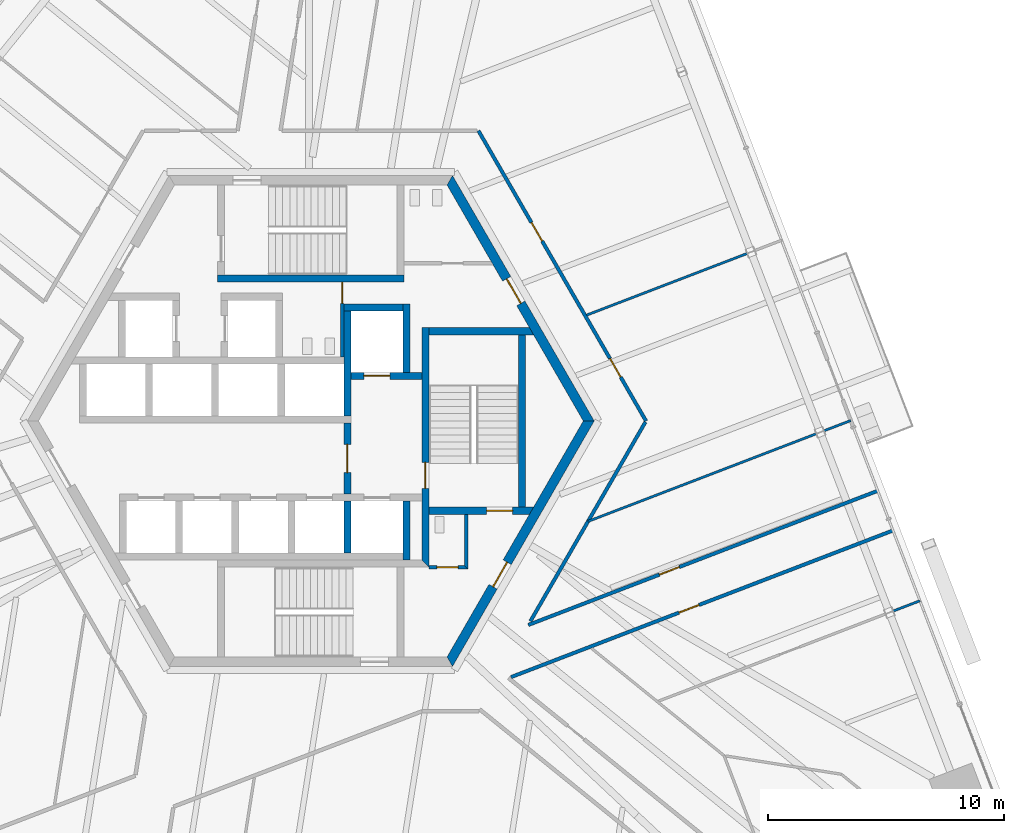
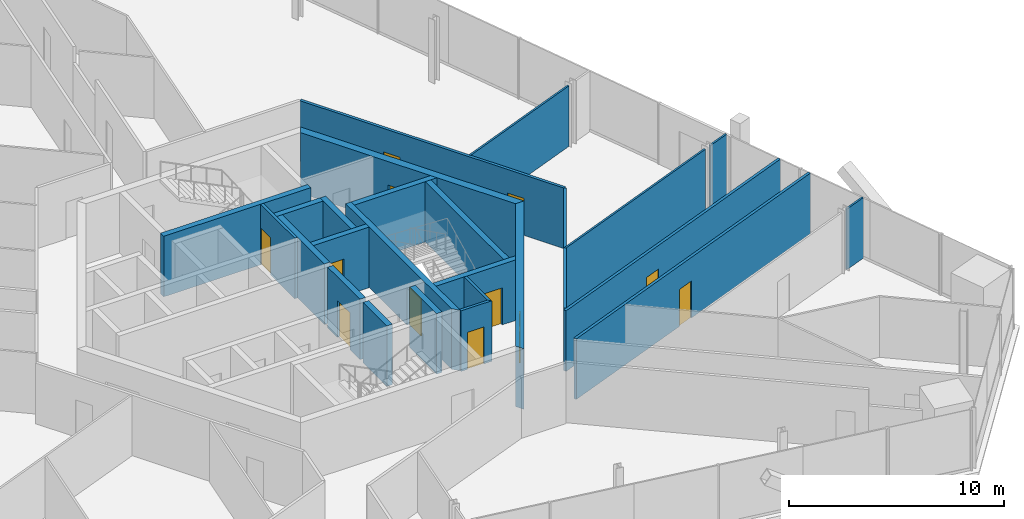
# One storey, part 13 of 19: 25 walls, 12 doors, 12 openings.
"""IFC4 building model written with IfcOpenShell, lengths in metres."""

import ifcopenshell
import ifcopenshell.guid

model = None  # the IFC model being written
_history = None  # IfcOwnerHistory: only IFC2X3 demands one
_inside = {}  # id of a spatial element -> (the spatial element, [elements in it])
_under = {}  # id of a project, library or spatial element -> (it, [spatial elements below it])
_declared = {}  # id of a project -> (the project, [libraries it declares])
_typed = {}  # id of a type object -> (the type object, [elements of that type])
_made_of = {}  # id of a material, layer set ... -> (it, [elements and type objects made of it])


def new_model(schema):
    """Start an empty IFC model of exactly this schema.

    Asked for "IFC4X3", IfcOpenShell would pick the latest addendum, in which some entities
    have other attributes; the version numbers below select the first issue.
    IFC2X3 requires an IfcOwnerHistory on every rooted entity: one is made here for all.
    """
    global model, _history
    if schema == "IFC4X3":
        model = ifcopenshell.file(schema_version=(4, 3, 0, 0))
    else:
        model = ifcopenshell.file(schema=schema)
    _inside.clear()
    _under.clear()
    _declared.clear()
    _typed.clear()
    _made_of.clear()
    _history = None
    if model.schema == "IFC2X3":
        org = make("IfcOrganization", Name="unknown")
        user = make(
            "IfcPersonAndOrganization",
            ThePerson=make("IfcPerson", FamilyName="unknown"),
            TheOrganization=org,
        )
        app = make(
            "IfcApplication",
            ApplicationDeveloper=org,
            Version="unknown",
            ApplicationFullName="unknown",
            ApplicationIdentifier="unknown",
        )
        _history = make(
            "IfcOwnerHistory",
            OwningUser=user,
            OwningApplication=app,
            ChangeAction="ADDED",
            CreationDate=0,
        )
    return model


def make(cls, **values):
    """One entity of the class cls with the attributes given. An attribute that is None is left unset."""
    return model.create_entity(
        cls, **{name: value for name, value in values.items() if value is not None}
    )


def rooted(cls, **values):
    """An entity with a GlobalId (a new one), such as an element, a storey or a relation."""
    return make(cls, GlobalId=ifcopenshell.guid.new(), OwnerHistory=_history, **values)


def si_unit(unit_type, name, prefix=None):
    """IfcSIUnit, for example si_unit("LENGTHUNIT", "METRE", prefix="MILLI")."""
    return make("IfcSIUnit", UnitType=unit_type, Prefix=prefix, Name=name)


def assignment(units):
    """IfcUnitAssignment: the units of a project."""
    return None if units is None else make("IfcUnitAssignment", Units=units)


def point(xyz):
    """IfcCartesianPoint."""
    return None if xyz is None else make("IfcCartesianPoint", Coordinates=xyz)


def direction(xyz):
    """IfcDirection."""
    return None if xyz is None else make("IfcDirection", DirectionRatios=xyz)


def frame(location, z_axis=None, x_axis=None):
    """IfcAxis2Placement3D, a coordinate frame: its origin and axes. An axis left out is left unset."""
    return make(
        "IfcAxis2Placement3D",
        Location=point(location),
        Axis=direction(z_axis),
        RefDirection=direction(x_axis),
    )


def frame_2d(location, x_axis=None):
    """IfcAxis2Placement2D, a coordinate frame in the plane: its origin and x axis."""
    return make(
        "IfcAxis2Placement2D", Location=point(location), RefDirection=direction(x_axis)
    )


def origin():
    """The frame at (0, 0, 0) with its axes left unset."""
    return frame((0.0, 0.0, 0.0))


def place(relative_to, where):
    """IfcLocalPlacement: puts the frame where relative to a parent placement (None: the world)."""
    return make(
        "IfcLocalPlacement", PlacementRelTo=relative_to, RelativePlacement=where
    )


def context(
    kind, dimensions, precision=None, world=None, true_north=None, identifier=None
):
    """IfcGeometricRepresentationContext, for example the 3D "Model" context."""
    return make(
        "IfcGeometricRepresentationContext",
        ContextIdentifier=identifier,
        ContextType=kind,
        CoordinateSpaceDimension=dimensions,
        Precision=precision,
        WorldCoordinateSystem=world,
        TrueNorth=true_north,
    )


def subcontext(parent, identifier, kind, view, scale=None):
    """IfcGeometricRepresentationSubContext, for example "Body" below "Model"."""
    return make(
        "IfcGeometricRepresentationSubContext",
        ContextIdentifier=identifier,
        ContextType=kind,
        ParentContext=parent,
        TargetScale=scale,
        TargetView=view,
    )


def project(units=None, contexts=None):
    """IfcProject with its units and contexts."""
    return rooted(
        "IfcProject",
        Name="project",
        RepresentationContexts=contexts,
        UnitsInContext=assignment(units),
    )


def spatial(cls, under=None, at=None, **own):
    """A site, building, storey or space (cls), placed at a placement, below another one or the project."""
    s = rooted(cls, ObjectPlacement=at, **own)
    if under is not None:
        _under.setdefault(under.id(), (under, []))[1].append(s)
    return s


def polyline(points):
    """IfcPolyline through the points."""
    return make("IfcPolyline", Points=[point(p) for p in points])


def profile(cls, at=None, kind="AREA", **sizes):
    """A parametric profile (cls). Its sizes go by their IFC names, for example OverallWidth=200.0."""
    return make(cls, ProfileType=kind, Position=at, **sizes)


def rectangle(**sizes):
    """IfcRectangleProfileDef."""
    return profile("IfcRectangleProfileDef", **sizes)


def outline(outer, holes=None, kind="AREA"):
    """IfcArbitraryClosedProfileDef: a profile drawn as a closed curve; with holes, ...WithVoids."""
    if holes is None:
        return make("IfcArbitraryClosedProfileDef", ProfileType=kind, OuterCurve=outer)
    return make(
        "IfcArbitraryProfileDefWithVoids",
        ProfileType=kind,
        OuterCurve=outer,
        InnerCurves=holes,
    )


def extrude(swept, where, along, depth):
    """IfcExtrudedAreaSolid: the profile swept, set in the frame where, extruded along a direction by depth."""
    return make(
        "IfcExtrudedAreaSolid",
        SweptArea=swept,
        Position=where,
        ExtrudedDirection=direction(along),
        Depth=depth,
    )


def shape(context_of_items, identifier, shape_type, items):
    """IfcShapeRepresentation: the items that make up one representation, for example the "Body"."""
    return make(
        "IfcShapeRepresentation",
        ContextOfItems=context_of_items,
        RepresentationIdentifier=identifier,
        RepresentationType=shape_type,
        Items=items,
    )


def source(mapping_origin, context_of_items, identifier, shape_type, items):
    """IfcRepresentationMap: a shape defined once, which mapped items show again and again."""
    return make(
        "IfcRepresentationMap",
        MappingOrigin=mapping_origin,
        MappedRepresentation=shape(context_of_items, identifier, shape_type, items),
    )


def transform(
    local_origin,
    x_axis=None,
    y_axis=None,
    z_axis=None,
    scale=None,
    scale2=None,
    scale3=None,
    uniform=True,
):
    """IfcCartesianTransformationOperator3D, or its non-uniform kind. x_axis, y_axis, z_axis: its Axis1, 2, 3."""
    if uniform:
        return make(
            "IfcCartesianTransformationOperator3D",
            Axis1=direction(x_axis),
            Axis2=direction(y_axis),
            LocalOrigin=point(local_origin),
            Scale=scale,
            Axis3=direction(z_axis),
        )
    return make(
        "IfcCartesianTransformationOperator3DnonUniform",
        Axis1=direction(x_axis),
        Axis2=direction(y_axis),
        LocalOrigin=point(local_origin),
        Scale=scale,
        Axis3=direction(z_axis),
        Scale2=scale2,
        Scale3=scale3,
    )


def mapped(mapping_source, mapping_target):
    """IfcMappedItem: shows the shape of a source again, moved by a transform."""
    return make(
        "IfcMappedItem", MappingSource=mapping_source, MappingTarget=mapping_target
    )


def material(Name=None, Category=None):
    """IfcMaterial."""
    return make("IfcMaterial", Name=Name, Category=Category)


def layer(
    of_material, thickness, ventilated=None, Name=None, Category=None, Priority=None
):
    """IfcMaterialLayer: one layer of a wall or slab, of a material (None: an air gap)."""
    return make(
        "IfcMaterialLayer",
        Material=of_material,
        LayerThickness=thickness,
        IsVentilated=ventilated,
        Name=Name,
        Category=Category,
        Priority=Priority,
    )


def layer_set(layers, Name=None):
    """IfcMaterialLayerSet."""
    return make("IfcMaterialLayerSet", MaterialLayers=layers, LayerSetName=Name)


def made_of(thing, what):
    """Note that an element or type object is made of a material, layer set ...; save() writes the relation."""
    if what is not None:
        _made_of.setdefault(what.id(), (what, []))[1].append(thing)
    return thing


def type_object(cls, material=None, **own):
    """A type object (cls), such as IfcWallType, which elements share."""
    return made_of(rooted(cls, **own), material)


def element(
    cls,
    number,
    at=None,
    inside=None,
    cuts=None,
    type_object=None,
    material=None,
    context=None,
    identifier="Body",
    shape_type=None,
    held_by="IfcProductDefinitionShape",
    body=None,
    shapes=None,
    **own,
):
    """One element of the class cls, such as IfcWall. Its Tag is "e" and its number.

    at: its placement. inside: the storey or other place that contains it. cuts: it is an
    opening in that element (IfcRelVoidsElement). A single representation is given by context,
    identifier, shape_type and body (its items); several are given by shapes. held_by: the class
    of the entity that holds the representations. save() writes the other relations.
    """
    e = rooted(cls, Tag="e%d" % number, ObjectPlacement=at, **own)
    if body is not None:
        shapes = [shape(context, identifier, shape_type, body)]
    if shapes is not None:
        e.Representation = make(held_by, Representations=shapes)
    if inside is not None:
        _inside.setdefault(inside.id(), (inside, []))[1].append(e)
    if cuts is not None:
        rooted(
            "IfcRelVoidsElement", RelatingBuildingElement=cuts, RelatedOpeningElement=e
        )
    if type_object is not None:
        _typed.setdefault(type_object.id(), (type_object, []))[1].append(e)
    return made_of(e, material)


def fill(opening, filler):
    """IfcRelFillsElement: the door or window that sits in an opening."""
    return rooted(
        "IfcRelFillsElement",
        RelatingOpeningElement=opening,
        RelatedBuildingElement=filler,
    )


def aggregate(whole, parts):
    """IfcRelAggregates: a whole, such as a stair, and the parts it consists of."""
    return rooted("IfcRelAggregates", RelatingObject=whole, RelatedObjects=parts)


def save(model, path):
    """Write the relations noted so far, then the file.

    IfcRelAggregates (storeys below a building ...), IfcRelContainedInSpatialStructure (elements
    in a storey), IfcRelDefinesByType, IfcRelAssociatesMaterial and IfcRelDeclares: one each for
    every whole, place, type object, material and project.
    """
    for whole, parts in _under.values():
        aggregate(whole, parts)
    for where, things in _inside.values():
        rooted(
            "IfcRelContainedInSpatialStructure",
            RelatedElements=things,
            RelatingStructure=where,
        )
    for kind, things in _typed.values():
        rooted("IfcRelDefinesByType", RelatedObjects=things, RelatingType=kind)
    for what, things in _made_of.values():
        rooted("IfcRelAssociatesMaterial", RelatedObjects=things, RelatingMaterial=what)
    for by, libraries in _declared.values():
        rooted("IfcRelDeclares", RelatingContext=by, RelatedDefinitions=libraries)
    model.write(path)


model = new_model("IFC4")

# Units and contexts
model_context = context("Model", 3, precision=1e-05, world=origin(), true_north=direction((0.0, 1.0)))
body_context = subcontext(model_context, "Body", "Model", "MODEL_VIEW")
ifc_project = project(units=[si_unit("LENGTHUNIT", "METRE"), si_unit("AREAUNIT", "SQUARE_METRE"), si_unit("VOLUMEUNIT", "CUBIC_METRE"), si_unit("PLANEANGLEUNIT", "RADIAN"), si_unit("MASSUNIT", "GRAM", prefix="KILO")], contexts=[model_context])

# Site, building, storey
site_placement = place(None, origin())
site = spatial("IfcSite", under=ifc_project, at=site_placement, CompositionType="ELEMENT")
building_placement = place(site_placement, origin())
building = spatial("IfcBuilding", under=site, at=building_placement, Name="Triune Harvest Tower", CompositionType="ELEMENT")
storey_placement = place(building_placement, frame((0.0, 0.0, 142.5)))
storey = spatial("IfcBuildingStorey", under=building, at=storey_placement, Name="L36", CompositionType="ELEMENT", Elevation=142.5)

# Wall, opening, door
ifc_material_1 = material(Name="Concrete 70 MPa", Category="concrete")
ifc_layer_1 = layer(ifc_material_1, 0.39990234375)
ifc_layer_set_1 = layer_set([ifc_layer_1], Name="Concrete 70 MPa")
wall_type_1 = type_object("IfcWallType", Name="Core wall 400", PredefinedType="SHEAR", material=ifc_layer_set_1)
shared_shape_1 = source(origin(), body_context, "Body", "SweptSolid", [
    extrude(outline(polyline([(-0.115478515625, -0.199951171875), (11.884521484375, -0.199951171875), (11.653564453125, 0.199951171875), (0.115478515625, 0.199951171875), (-0.115478515625, -0.199951171875)])), origin(), (0.0, 0.0, 1.0), 3.43994140625),
])
wall_1_placement = place(storey_placement, frame((11.76904296875, 0.0, 0.0), z_axis=(0.0, 0.0, 1.0), x_axis=(-0.499996592174, 0.866027371285, 0.0)))
wall_1 = element("IfcWall", 1, at=wall_1_placement, inside=storey, type_object=wall_type_1, Name="Hexagon 0 wall", PredefinedType="SHEAR", context=body_context, shape_type="MappedRepresentation", body=[
    mapped(shared_shape_1, transform((0.0, 0.0, 0.0), scale=1.0)),
])
opening_1_placement = place(wall_1_placement, frame((5.75048828125, 0.0, 0.0)))
opening_1 = element("IfcOpeningElement", 2, at=opening_1_placement, cuts=wall_1, Name="Opening CD-WCP", PredefinedType="OPENING", context=body_context, shape_type="SweptSolid", body=[
    extrude(rectangle(XDim=1.199951171875, YDim=2.10009765625, at=frame_2d((0.60009765625, 1.050048828125))), frame((0.0, 0.2099609375, 0.0), z_axis=(0.0, -1.0, 0.0), x_axis=(1.0, 0.0, 0.0)), (0.0, 0.0, 1.0), 0.419921875),
])
ifc_material_2 = material(Name="Steel S235", Category="steel")
door_type_1 = type_object("IfcDoorType", Name="Lobby door 1200 FD120", OperationType="SINGLE_SWING_LEFT", PredefinedType="DOOR", material=ifc_material_2)
door_1_placement = place(opening_1_placement, frame((1.199951171875, 0.0, 0.0), z_axis=(0.0, 0.0, 1.0), x_axis=(-1.0, 0.0, 0.0)))
door_1 = element("IfcDoor", 3, at=door_1_placement, inside=storey, type_object=door_type_1, Name="Door CD-WCP", OperationType="SINGLE_SWING_RIGHT", OverallHeight=2.10009765625, OverallWidth=1.199951171875, PredefinedType="DOOR", context=body_context, shape_type="SweptSolid", body=[
    extrude(rectangle(XDim=1.199951171875, YDim=2.10009765625, at=frame_2d((0.60009765625, 1.050048828125))), frame((0.0, 0.02490234375, 0.0), z_axis=(0.0, -1.0, 0.0), x_axis=(1.0, 0.0, 0.0)), (0.0, 0.0, 1.0), 0.050048828125),
])
fill(opening_1, door_1)

wall_2_placement = place(storey_placement, frame((5.884521484375, -10.1923828125, 0.0), z_axis=(0.0, 0.0, 1.0), x_axis=(0.499996592174, 0.866027371285, 0.0)))
wall_2 = element("IfcWall", 4, at=wall_2_placement, inside=storey, type_object=wall_type_1, Name="Hexagon 5 wall", PredefinedType="SHEAR", context=body_context, shape_type="MappedRepresentation", body=[
    mapped(shared_shape_1, transform((0.0, 0.0, 0.0), scale=1.0)),
])
opening_2_placement = place(wall_2_placement, frame((3.66455078125, 0.0, 0.0)))
opening_2 = element("IfcOpeningElement", 5, at=opening_2_placement, cuts=wall_2, Name="Opening CD-DP", PredefinedType="OPENING", context=body_context, shape_type="SweptSolid", body=[
    extrude(rectangle(XDim=1.199951171875, YDim=2.10009765625, at=frame_2d((0.60009765625, 1.050048828125))), frame((0.0, 0.2099609375, 0.0), z_axis=(0.0, -1.0, 0.0), x_axis=(1.0, 0.0, 0.0)), (0.0, 0.0, 1.0), 0.419921875),
])
ifc_material_3 = material(Name="Steel S235", Category="steel")
door_type_2 = type_object("IfcDoorType", Name="Stair door 1200 FD120", OperationType="SINGLE_SWING_LEFT", PredefinedType="DOOR", material=ifc_material_3)
door_2_placement = place(opening_2_placement, frame((1.199951171875, 0.0, 0.0), z_axis=(0.0, 0.0, 1.0), x_axis=(-1.0, 0.0, 0.0)))
door_2 = element("IfcDoor", 6, at=door_2_placement, inside=storey, type_object=door_type_2, Name="Door CD-DP", OperationType="SINGLE_SWING_RIGHT", OverallHeight=2.10009765625, OverallWidth=1.199951171875, PredefinedType="DOOR", context=body_context, shape_type="SweptSolid", body=[
    extrude(rectangle(XDim=1.199951171875, YDim=2.10009765625, at=frame_2d((0.60009765625, 1.050048828125))), frame((0.0, 0.02490234375, 0.0), z_axis=(0.0, -1.0, 0.0), x_axis=(1.0, 0.0, 0.0)), (0.0, 0.0, 1.0), 0.050048828125),
])
fill(opening_2, door_2)

# Walls
ifc_material_4 = material(Name="Concrete 70 MPa", Category="concrete")
ifc_layer_2 = layer(ifc_material_4, 0.300048828125)
ifc_layer_set_2 = layer_set([ifc_layer_2], Name="Concrete 70 MPa")
wall_type_2 = type_object("IfcWallType", Name="Core wall 300", PredefinedType="SHEAR", material=ifc_layer_set_2)
shared_shape_2 = source(origin(), body_context, "Body", "SweptSolid", [
    extrude(rectangle(XDim=2.5, YDim=0.300048828125, at=frame_2d((1.25, 0.0))), origin(), (0.0, 0.0, 1.0), 3.43994140625),
])
for number, where, z_axis, x_axis, name in (
    (7, (1.39990234375, 4.81005859375, 0.0), (0.0, 0.0, 1.0), (1.0, 0.0, 0.0), "Ff1 back wall"),
    (8, (4.050048828125, -5.889892578125, 0.0), (0.0, 0.0, 1.0), (0.0, 1.0, 0.0), "Ff2 east wall"),
):
    element("IfcWall", number, at=place(storey_placement, frame(where, z_axis=z_axis, x_axis=x_axis)), inside=storey, type_object=wall_type_2, Name=name, PredefinedType="SHEAR", context=body_context, shape_type="MappedRepresentation", body=[
        mapped(shared_shape_2, transform((0.0, 0.0, 0.0), scale=1.0)),
    ])
shared_shape_3 = source(origin(), body_context, "Body", "SweptSolid", [
    extrude(rectangle(XDim=4.449951171875, YDim=0.300048828125, at=frame_2d((2.22509765625, 0.0))), origin(), (0.0, 0.0, 1.0), 3.43994140625),
])
wall_3_placement = place(storey_placement, frame((1.550048828125, 0.2099609375, 0.0), z_axis=(0.0, 0.0, 1.0), x_axis=(0.0, 1.0, 0.0)))
element("IfcWall", 9, at=wall_3_placement, inside=storey, type_object=wall_type_2, Name="Ff1 west wall", PredefinedType="SHEAR", context=body_context, shape_type="MappedRepresentation", body=[
    mapped(shared_shape_3, transform((0.0, 0.0, 0.0), scale=1.0)),
])

# Wall, opening, door
shared_shape_4 = source(origin(), body_context, "Body", "SweptSolid", [
    extrude(rectangle(XDim=3.0, YDim=0.300048828125, at=frame_2d((1.5, 0.0))), origin(), (0.0, 0.0, 1.0), 3.43994140625),
])
wall_4_placement = place(storey_placement, frame((1.699951171875, 1.909912109375, 0.0), z_axis=(0.0, 0.0, 1.0), x_axis=(1.0, 0.0, 0.0)))
wall_4 = element("IfcWall", 10, at=wall_4_placement, inside=storey, type_object=wall_type_2, Name="Ff1 front wall", PredefinedType="SHEAR", context=body_context, shape_type="MappedRepresentation", body=[
    mapped(shared_shape_4, transform((0.0, 0.0, 0.0), scale=1.0)),
])
opening_3_placement = place(wall_4_placement, frame((0.550048828125, 0.0, 0.0)))
opening_3 = element("IfcOpeningElement", 11, at=opening_3_placement, cuts=wall_4, Name="Opening LD-FF1-36", PredefinedType="OPENING", context=body_context, shape_type="SweptSolid", body=[
    extrude(rectangle(XDim=1.10009765625, YDim=2.10009765625, at=frame_2d((0.550048828125, 1.050048828125))), frame((0.0, 0.16015625, 0.0), z_axis=(0.0, -1.0, 0.0), x_axis=(1.0, 0.0, 0.0)), (0.0, 0.0, 1.0), 0.320068359375),
])
ifc_material_5 = material(Name="Stainless steel AISI 304", Category="steel")
door_type_3 = type_object("IfcDoorType", Name="Landing door 1100 x 2100", OperationType="DOUBLE_DOOR_SLIDING", PredefinedType="DOOR", material=ifc_material_5)
door_3_placement = place(opening_3_placement, origin())
door_3 = element("IfcDoor", 12, at=door_3_placement, inside=storey, type_object=door_type_3, Name="Door LD-FF1-36", OperationType="DOUBLE_DOOR_SLIDING", OverallHeight=2.10009765625, OverallWidth=1.10009765625, PredefinedType="DOOR", context=body_context, shape_type="SweptSolid", body=[
    extrude(rectangle(XDim=1.10009765625, YDim=2.10009765625, at=frame_2d((0.550048828125, 1.050048828125))), frame((0.0, 0.02490234375, 0.0), z_axis=(0.0, -1.0, 0.0), x_axis=(1.0, 0.0, 0.0)), (0.0, 0.0, 1.0), 0.050048828125),
])
fill(opening_3, door_3)

wall_5_placement = place(storey_placement, frame((1.550048828125, -3.090087890625, 0.0), z_axis=(0.0, 0.0, 1.0), x_axis=(0.0, 1.0, 0.0)))
wall_5 = element("IfcWall", 13, at=wall_5_placement, inside=storey, type_object=wall_type_2, Name="Ff lobby west wall", PredefinedType="SHEAR", context=body_context, shape_type="MappedRepresentation", body=[
    mapped(shared_shape_4, transform((0.0, 0.0, 0.0), scale=1.0)),
])
opening_4_placement = place(wall_5_placement, frame((0.89990234375, 0.0, 0.0)))
opening_4 = element("IfcOpeningElement", 14, at=opening_4_placement, cuts=wall_5, Name="Opening CD-FL", PredefinedType="OPENING", context=body_context, shape_type="SweptSolid", body=[
    extrude(rectangle(XDim=1.199951171875, YDim=2.10009765625, at=frame_2d((0.60009765625, 1.050048828125))), frame((0.0, 0.16015625, 0.0), z_axis=(0.0, -1.0, 0.0), x_axis=(1.0, 0.0, 0.0)), (0.0, 0.0, 1.0), 0.320068359375),
])
ifc_material_6 = material(Name="Steel S235", Category="steel")
door_type_4 = type_object("IfcDoorType", Name="Firefighters' lobby door 1200 FD120", OperationType="SINGLE_SWING_LEFT", PredefinedType="DOOR", material=ifc_material_6)
door_4_placement = place(opening_4_placement, frame((1.199951171875, 0.0, 0.0), z_axis=(0.0, 0.0, 1.0), x_axis=(-1.0, 0.0, 0.0)))
door_4 = element("IfcDoor", 15, at=door_4_placement, inside=storey, type_object=door_type_4, Name="Door CD-FL", OperationType="SINGLE_SWING_RIGHT", OverallHeight=2.10009765625, OverallWidth=1.199951171875, PredefinedType="DOOR", context=body_context, shape_type="SweptSolid", body=[
    extrude(rectangle(XDim=1.199951171875, YDim=2.10009765625, at=frame_2d((0.60009765625, 1.050048828125))), frame((0.0, 0.02490234375, 0.0), z_axis=(0.0, -1.0, 0.0), x_axis=(1.0, 0.0, 0.0)), (0.0, 0.0, 1.0), 0.050048828125),
])
fill(opening_4, door_4)

# Walls
shared_shape_5 = source(origin(), body_context, "Body", "SweptSolid", [
    extrude(rectangle(XDim=2.89990234375, YDim=0.300048828125, at=frame_2d((1.449951171875, 0.0))), origin(), (0.0, 0.0, 1.0), 3.43994140625),
])
wall_6_placement = place(storey_placement, frame((4.050048828125, 2.06005859375, 0.0), z_axis=(0.0, 0.0, 1.0), x_axis=(0.0, 1.0, 0.0)))
element("IfcWall", 16, at=wall_6_placement, inside=storey, type_object=wall_type_2, Name="Ff1 east wall", PredefinedType="SHEAR", context=body_context, shape_type="MappedRepresentation", body=[
    mapped(shared_shape_5, transform((0.0, 0.0, 0.0), scale=1.0)),
])
shared_shape_6 = source(origin(), body_context, "Body", "SweptSolid", [
    extrude(rectangle(XDim=2.2001953125, YDim=0.300048828125, at=frame_2d((1.10009765625, 0.0))), origin(), (0.0, 0.0, 1.0), 3.43994140625),
])
wall_7_placement = place(storey_placement, frame((1.550048828125, -5.590087890625, 0.0), z_axis=(0.0, 0.0, 1.0), x_axis=(0.0, 1.0, 0.0)))
element("IfcWall", 17, at=wall_7_placement, inside=storey, type_object=wall_type_2, Name="Ff2 west wall", PredefinedType="SHEAR", context=body_context, shape_type="MappedRepresentation", body=[
    mapped(shared_shape_6, transform((0.0, 0.0, 0.0), scale=1.0)),
])

# Wall, opening, door
shared_shape_7 = source(origin(), body_context, "Body", "SweptSolid", [
    extrude(outline(polyline([(-0.14990234375, -0.14990234375), (9.989990234375, -0.14990234375), (9.989990234375, 0.14990234375), (0.14990234375, 0.14990234375), (-0.14990234375, -0.14990234375)])), origin(), (0.0, 0.0, 1.0), 3.43994140625),
])
wall_8_placement = place(storey_placement, frame((4.85009765625, -6.0400390625, 0.0), z_axis=(0.0, 0.0, 1.0), x_axis=(0.0, 1.0, 0.0)))
wall_8 = element("IfcWall", 18, at=wall_8_placement, inside=storey, type_object=wall_type_2, Name="Stair e west wall", PredefinedType="SHEAR", context=body_context, shape_type="MappedRepresentation", body=[
    mapped(shared_shape_7, transform((0.0, 0.0, 0.0), scale=1.0)),
])
opening_5_placement = place(wall_8_placement, frame((3.18994140625, 0.0, 0.0)))
opening_5 = element("IfcOpeningElement", 19, at=opening_5_placement, cuts=wall_8, Name="Opening CD-S3L", PredefinedType="OPENING", context=body_context, shape_type="SweptSolid", body=[
    extrude(rectangle(XDim=1.10009765625, YDim=2.10009765625, at=frame_2d((0.550048828125, 1.050048828125))), frame((0.0, 0.16015625, 0.0), z_axis=(0.0, -1.0, 0.0), x_axis=(1.0, 0.0, 0.0)), (0.0, 0.0, 1.0), 0.320068359375),
])
ifc_material_7 = material(Name="Steel S235", Category="steel")
door_type_5 = type_object("IfcDoorType", Name="Stair door 1100 FD120", OperationType="SINGLE_SWING_LEFT", PredefinedType="DOOR", material=ifc_material_7)
door_5_placement = place(opening_5_placement, frame((1.10009765625, 0.0, 0.0), z_axis=(0.0, 0.0, 1.0), x_axis=(-1.0, 0.0, 0.0)))
door_5 = element("IfcDoor", 20, at=door_5_placement, inside=storey, type_object=door_type_5, Name="Door CD-S3L", OperationType="SINGLE_SWING_RIGHT", OverallHeight=2.10009765625, OverallWidth=1.10009765625, PredefinedType="DOOR", context=body_context, shape_type="SweptSolid", body=[
    extrude(rectangle(XDim=1.10009765625, YDim=2.10009765625, at=frame_2d((0.550048828125, 1.050048828125))), frame((0.0, 0.02490234375, 0.0), z_axis=(0.0, -1.0, 0.0), x_axis=(1.0, 0.0, 0.0)), (0.0, 0.0, 1.0), 0.050048828125),
])
fill(opening_5, door_5)

# Wall
shared_shape_8 = source(origin(), body_context, "Body", "SweptSolid", [
    extrude(outline(polyline([(0.0, -0.14990234375), (0.0, 0.14990234375), (4.260009765625, 0.14990234375), (4.43310546875, -0.14990234375), (0.0, -0.14990234375)])), origin(), (0.0, 0.0, 1.0), 3.43994140625),
])
wall_9_placement = place(storey_placement, frame((5.0, 3.800048828125, 0.0), z_axis=(0.0, 0.0, 1.0), x_axis=(1.0, 0.0, 0.0)))
element("IfcWall", 21, at=wall_9_placement, inside=storey, type_object=wall_type_2, Name="Stair e north wall", PredefinedType="SHEAR", context=body_context, shape_type="MappedRepresentation", body=[
    mapped(shared_shape_8, transform((0.0, 0.0, 0.0), scale=1.0)),
])

# Wall, opening, door
shared_shape_9 = source(origin(), body_context, "Body", "SweptSolid", [
    extrude(outline(polyline([(0.0, -0.14990234375), (0.0, 0.14990234375), (4.43310546875, 0.14990234375), (4.260009765625, -0.14990234375), (0.0, -0.14990234375)])), origin(), (0.0, 0.0, 1.0), 3.43994140625),
])
wall_10_placement = place(storey_placement, frame((5.0, -3.800048828125, 0.0), z_axis=(0.0, 0.0, 1.0), x_axis=(1.0, 0.0, 0.0)))
wall_10 = element("IfcWall", 22, at=wall_10_placement, inside=storey, type_object=wall_type_2, Name="Stair e south wall", PredefinedType="SHEAR", context=body_context, shape_type="MappedRepresentation", body=[
    mapped(shared_shape_9, transform((0.0, 0.0, 0.0), scale=1.0)),
])
opening_6_placement = place(wall_10_placement, frame((2.449951171875, 0.0, 0.0)))
opening_6 = element("IfcOpeningElement", 23, at=opening_6_placement, cuts=wall_10, Name="Opening CD-S3D", PredefinedType="OPENING", context=body_context, shape_type="SweptSolid", body=[
    extrude(rectangle(XDim=1.10009765625, YDim=2.10009765625, at=frame_2d((0.550048828125, 1.050048828125))), frame((0.0, 0.16015625, 0.0), z_axis=(0.0, -1.0, 0.0), x_axis=(1.0, 0.0, 0.0)), (0.0, 0.0, 1.0), 0.320068359375),
])
door_6_placement = place(opening_6_placement, frame((1.10009765625, 0.0, 0.0), z_axis=(0.0, 0.0, 1.0), x_axis=(-1.0, 0.0, 0.0)))
door_6 = element("IfcDoor", 24, at=door_6_placement, inside=storey, type_object=door_type_5, Name="Door CD-S3D", OperationType="SINGLE_SWING_RIGHT", OverallHeight=2.10009765625, OverallWidth=1.10009765625, PredefinedType="DOOR", context=body_context, shape_type="SweptSolid", body=[
    extrude(rectangle(XDim=1.10009765625, YDim=2.10009765625, at=frame_2d((0.550048828125, 1.050048828125))), frame((0.0, 0.02490234375, 0.0), z_axis=(0.0, -1.0, 0.0), x_axis=(1.0, 0.0, 0.0)), (0.0, 0.0, 1.0), 0.050048828125),
])
fill(opening_6, door_6)

# Walls
shared_shape_10 = source(origin(), body_context, "Body", "SweptSolid", [
    extrude(rectangle(XDim=7.2998046875, YDim=0.300048828125, at=frame_2d((3.64990234375, 0.0))), origin(), (0.0, 0.0, 1.0), 3.43994140625),
])
wall_11_placement = place(storey_placement, frame((8.949951171875, -3.64990234375, 0.0), z_axis=(0.0, 0.0, 1.0), x_axis=(0.0, 1.0, 0.0)))
element("IfcWall", 25, at=wall_11_placement, inside=storey, type_object=wall_type_2, Name="Stair e east wall", PredefinedType="SHEAR", context=body_context, shape_type="MappedRepresentation", body=[
    mapped(shared_shape_10, transform((0.0, 0.0, 0.0), scale=1.0)),
])
shared_shape_11 = source(origin(), body_context, "Body", "SweptSolid", [
    extrude(rectangle(XDim=7.89990234375, YDim=0.300048828125, at=frame_2d((3.949951171875, 0.0))), origin(), (0.0, 0.0, 1.0), 3.43994140625),
])
wall_12_placement = place(storey_placement, frame((-3.949951171875, 6.0400390625, 0.0), z_axis=(0.0, 0.0, 1.0), x_axis=(1.0, 0.0, 0.0)))
element("IfcWall", 26, at=wall_12_placement, inside=storey, type_object=wall_type_2, Name="Stair n south wall", PredefinedType="SHEAR", context=body_context, shape_type="MappedRepresentation", body=[
    mapped(shared_shape_11, transform((0.0, 0.0, 0.0), scale=1.0)),
])

# Wall, opening, door
ifc_material_8 = material(Name="Concrete masonry unit", Category="masonry")
ifc_layer_3 = layer(ifc_material_8, 0.14990234375)
ifc_layer_set_3 = layer_set([ifc_layer_3], Name="Concrete masonry unit")
wall_type_3 = type_object("IfcWallType", Name="Block partition 150 unrated", PredefinedType="PARTITIONING", material=ifc_layer_set_3)
shared_shape_12 = source(origin(), body_context, "Body", "SweptSolid", [
    extrude(rectangle(XDim=3.179931640625, YDim=0.14990234375, at=frame_2d((1.58984375, 0.0))), origin(), (0.0, 0.0, 1.0), 3.43994140625),
])
wall_13_placement = place(storey_placement, frame((1.324951171875, 2.7099609375, 0.0), z_axis=(0.0, 0.0, 1.0), x_axis=(0.0, 1.0, 0.0)))
wall_13 = element("IfcWall", 27, at=wall_13_placement, inside=storey, type_object=wall_type_3, Name="Wc men east wall", PredefinedType="PARTITIONING", context=body_context, shape_type="MappedRepresentation", body=[
    mapped(shared_shape_12, transform((0.0, 0.0, 0.0), scale=1.0)),
])
opening_7_placement = place(wall_13_placement, frame((2.264892578125, 0.0, 0.0)))
opening_7 = element("IfcOpeningElement", 28, at=opening_7_placement, cuts=wall_13, Name="Opening CD-WM", PredefinedType="OPENING", context=body_context, shape_type="SweptSolid", body=[
    extrude(rectangle(XDim=0.89990234375, YDim=2.10009765625, at=frame_2d((0.449951171875, 1.050048828125))), frame((0.0, 0.0849609375, 0.0), z_axis=(0.0, -1.0, 0.0), x_axis=(1.0, 0.0, 0.0)), (0.0, 0.0, 1.0), 0.169921875),
])
ifc_material_9 = material(Name="Timber C24", Category="wood")
door_type_6 = type_object("IfcDoorType", Name="WC door 900", OperationType="SINGLE_SWING_LEFT", PredefinedType="DOOR", material=ifc_material_9)
door_7_placement = place(opening_7_placement, origin())
door_7 = element("IfcDoor", 29, at=door_7_placement, inside=storey, type_object=door_type_6, Name="Door CD-WM", OperationType="SINGLE_SWING_LEFT", OverallHeight=2.10009765625, OverallWidth=0.89990234375, PredefinedType="DOOR", context=body_context, shape_type="SweptSolid", body=[
    extrude(rectangle(XDim=0.89990234375, YDim=2.10009765625, at=frame_2d((0.449951171875, 1.050048828125))), frame((0.0, 0.02490234375, 0.0), z_axis=(0.0, -1.0, 0.0), x_axis=(1.0, 0.0, 0.0)), (0.0, 0.0, 1.0), 0.050048828125),
])
fill(opening_7, door_7)

shared_shape_13 = source(origin(), body_context, "Body", "SweptSolid", [
    extrude(outline(polyline([(0.0, -0.074951171875), (1.64990234375, -0.074951171875), (1.5, 0.074951171875), (0.0, 0.074951171875), (0.0, -0.074951171875)])), origin(), (0.0, 0.0, 1.0), 3.43994140625),
])
wall_14_placement = place(storey_placement, frame((5.0, -6.18994140625, 0.0), z_axis=(0.0, 0.0, 1.0), x_axis=(1.0, 0.0, 0.0)))
wall_14 = element("IfcWall", 30, at=wall_14_placement, inside=storey, type_object=wall_type_3, Name="Wc acc south wall", PredefinedType="PARTITIONING", context=body_context, shape_type="MappedRepresentation", body=[
    mapped(shared_shape_13, transform((0.0, 0.0, 0.0), scale=1.0)),
])
opening_8_placement = place(wall_14_placement, frame((0.33740234375, 0.0, 0.0)))
opening_8 = element("IfcOpeningElement", 31, at=opening_8_placement, cuts=wall_14, Name="Opening CD-WA", PredefinedType="OPENING", context=body_context, shape_type="SweptSolid", body=[
    extrude(rectangle(XDim=0.89990234375, YDim=2.10009765625, at=frame_2d((0.449951171875, 1.050048828125))), frame((0.0, 0.0849609375, 0.0), z_axis=(0.0, -1.0, 0.0), x_axis=(1.0, 0.0, 0.0)), (0.0, 0.0, 1.0), 0.169921875),
])
door_8_placement = place(opening_8_placement, origin())
door_8 = element("IfcDoor", 32, at=door_8_placement, inside=storey, type_object=door_type_6, Name="Door CD-WA", OperationType="SINGLE_SWING_LEFT", OverallHeight=2.10009765625, OverallWidth=0.89990234375, PredefinedType="DOOR", context=body_context, shape_type="SweptSolid", body=[
    extrude(rectangle(XDim=0.89990234375, YDim=2.10009765625, at=frame_2d((0.449951171875, 1.050048828125))), frame((0.0, 0.02490234375, 0.0), z_axis=(0.0, -1.0, 0.0), x_axis=(1.0, 0.0, 0.0)), (0.0, 0.0, 1.0), 0.050048828125),
])
fill(opening_8, door_8)

# Wall
shared_shape_14 = source(origin(), body_context, "Body", "SweptSolid", [
    extrude(outline(polyline([(-0.074951171875, -0.074951171875), (2.239990234375, -0.074951171875), (2.239990234375, 0.074951171875), (0.074951171875, 0.074951171875), (-0.074951171875, -0.074951171875)])), origin(), (0.0, 0.0, 1.0), 3.43994140625),
])
wall_15_placement = place(storey_placement, frame((6.574951171875, -6.18994140625, 0.0), z_axis=(0.0, 0.0, 1.0), x_axis=(0.0, 1.0, 0.0)))
element("IfcWall", 33, at=wall_15_placement, inside=storey, type_object=wall_type_3, Name="Wc acc east wall", PredefinedType="PARTITIONING", context=body_context, shape_type="MappedRepresentation", body=[
    mapped(shared_shape_14, transform((0.0, 0.0, 0.0), scale=1.0)),
])

# Wall, openings, doors
ifc_material_10 = material(Name="Gypsum board on steel studs", Category="steel")
ifc_layer_4 = layer(ifc_material_10, 0.14990234375)
ifc_layer_set_4 = layer_set([ifc_layer_4], Name="Gypsum board on steel studs")
wall_type_4 = type_object("IfcWallType", Name="Fire Partition 150 mm", PredefinedType="PARTITIONING", material=ifc_layer_set_4)
shared_shape_15 = source(origin(), body_context, "Body", "SweptSolid", [
    extrude(rectangle(XDim=14.19384765625, YDim=0.14990234375, at=frame_2d((7.096923828125, 0.0))), origin(), (0.0, 0.0, 1.0), 3.43994140625),
])
wall_16_placement = place(storey_placement, frame((7.096923828125, 12.292236328125, 0.0), z_axis=(0.0, 0.0, 1.0), x_axis=(0.499999887723, -0.866025468608, 0.0)))
wall_16 = element("IfcWall", 34, at=wall_16_placement, inside=storey, type_object=wall_type_4, Name="Partition L36 004", PredefinedType="PARTITIONING", context=body_context, shape_type="MappedRepresentation", body=[
    mapped(shared_shape_15, transform((0.0, 0.0, 0.0), scale=1.0)),
])
opening_9_placement = place(wall_16_placement, frame((11.143798828125, 0.0, 0.0)))
opening_9 = element("IfcOpeningElement", 35, at=opening_9_placement, cuts=wall_16, Name="Opening L36-004", PredefinedType="OPENING", context=body_context, shape_type="SweptSolid", body=[
    extrude(rectangle(XDim=0.89990234375, YDim=2.10009765625, at=frame_2d((0.449951171875, 1.050048828125))), frame((0.0, 0.0849609375, 0.0), z_axis=(0.0, -1.0, 0.0), x_axis=(1.0, 0.0, 0.0)), (0.0, 0.0, 1.0), 0.169921875),
])
opening_10_placement = place(wall_16_placement, frame((4.493896484375, 0.0, 0.0)))
opening_10 = element("IfcOpeningElement", 36, at=opening_10_placement, cuts=wall_16, Name="Opening L36-005", PredefinedType="OPENING", context=body_context, shape_type="SweptSolid", body=[
    extrude(rectangle(XDim=0.89990234375, YDim=2.10009765625, at=frame_2d((0.449951171875, 1.050048828125))), frame((0.0, 0.0849609375, 0.0), z_axis=(0.0, -1.0, 0.0), x_axis=(1.0, 0.0, 0.0)), (0.0, 0.0, 1.0), 0.169921875),
])
ifc_material_11 = material(Name="Timber and steel door set", Category="steel")
door_type_7 = type_object("IfcDoorType", Name="Single leaf door FD30 left hand 900 x 2100", OperationType="SINGLE_SWING_LEFT", PredefinedType="DOOR", material=ifc_material_11)
door_9_placement = place(opening_10_placement, origin())
door_9 = element("IfcDoor", 37, at=door_9_placement, inside=storey, type_object=door_type_7, Name="Door L36-005 Open Office 36.05", OperationType="SINGLE_SWING_LEFT", OverallHeight=2.10009765625, OverallWidth=0.89990234375, PredefinedType="DOOR", context=body_context, shape_type="SweptSolid", body=[
    extrude(rectangle(XDim=0.89990234375, YDim=2.10009765625, at=frame_2d((0.449951171875, 1.050048828125))), frame((0.0, 0.02490234375, 0.0), z_axis=(0.0, -1.0, 0.0), x_axis=(1.0, 0.0, 0.0)), (0.0, 0.0, 1.0), 0.050048828125),
])
fill(opening_10, door_9)
ifc_material_12 = material(Name="Timber and steel door set", Category="steel")
door_type_8 = type_object("IfcDoorType", Name="Single leaf door FD30 right hand 900 x 2100", OperationType="SINGLE_SWING_RIGHT", PredefinedType="DOOR", material=ifc_material_12)
door_10_placement = place(opening_9_placement, origin())
door_10 = element("IfcDoor", 38, at=door_10_placement, inside=storey, type_object=door_type_8, Name="Door L36-004 Reception 36.04", OperationType="SINGLE_SWING_RIGHT", OverallHeight=2.10009765625, OverallWidth=0.89990234375, PredefinedType="DOOR", context=body_context, shape_type="SweptSolid", body=[
    extrude(rectangle(XDim=0.89990234375, YDim=2.10009765625, at=frame_2d((0.449951171875, 1.050048828125))), frame((0.0, 0.02490234375, 0.0), z_axis=(0.0, -1.0, 0.0), x_axis=(1.0, 0.0, 0.0)), (0.0, 0.0, 1.0), 0.050048828125),
])
fill(opening_9, door_10)

# Walls
ifc_material_13 = material(Name="Gypsum board on steel studs", Category="steel")
ifc_layer_5 = layer(ifc_material_13, 0.10009765625)
ifc_layer_set_5 = layer_set([ifc_layer_5], Name="Gypsum board on steel studs")
wall_type_5 = type_object("IfcWallType", Name="Partition 100 mm", PredefinedType="PARTITIONING", material=ifc_layer_set_5)
shared_shape_16 = source(origin(), body_context, "Body", "SweptSolid", [
    extrude(rectangle(XDim=1.212158203125, YDim=0.10009765625, at=frame_2d((0.60595703125, 0.0))), origin(), (0.0, 0.0, 1.0), 3.43994140625),
])
for number, where, z_axis, x_axis, name in (
    (39, (24.660400390625, -8.047119140625, 0.0), (0.0, 0.0, 1.0), (0.933594564159, 0.358331117506, 0.0), "Partition L36 026"),
    (40, (21.730712890625, -0.4150390625, 0.0), (0.0, 0.0, 1.0), (0.933594564159, 0.358331117506, 0.0), "Partition L36 032"),
):
    element("IfcWall", number, at=place(storey_placement, frame(where, z_axis=z_axis, x_axis=x_axis)), inside=storey, type_object=wall_type_5, Name=name, PredefinedType="PARTITIONING", context=body_context, shape_type="MappedRepresentation", body=[
        mapped(shared_shape_16, transform((0.0, 0.0, 0.0), scale=1.0)),
    ])
shared_shape_17 = source(origin(), body_context, "Body", "SweptSolid", [
    extrude(rectangle(XDim=7.279541015625, YDim=0.10009765625, at=frame_2d((3.6396484375, 0.0))), origin(), (0.0, 0.0, 1.0), 3.43994140625),
])
wall_17_placement = place(storey_placement, frame((11.675048828125, 4.4814453125, 0.0), z_axis=(0.0, 0.0, 1.0), x_axis=(0.933587418319, 0.358349734696, 0.0)))
element("IfcWall", 41, at=wall_17_placement, inside=storey, type_object=wall_type_5, Name="Partition L36 035", PredefinedType="PARTITIONING", context=body_context, shape_type="MappedRepresentation", body=[
    mapped(shared_shape_17, transform((0.0, 0.0, 0.0), scale=1.0)),
])

# Wall, opening, door
shared_shape_18 = source(origin(), body_context, "Body", "SweptSolid", [
    extrude(rectangle(XDim=17.322021484375, YDim=0.14990234375, at=frame_2d((8.6611328125, 0.0))), origin(), (0.0, 0.0, 1.0), 3.43994140625),
])
wall_18_placement = place(storey_placement, frame((8.478271484375, -10.844482421875, 0.0), z_axis=(0.0, 0.0, 1.0), x_axis=(0.933577530951, 0.35837549261, 0.0)))
wall_18 = element("IfcWall", 42, at=wall_18_placement, inside=storey, type_object=wall_type_4, Name="Partition L36 028", PredefinedType="PARTITIONING", context=body_context, shape_type="MappedRepresentation", body=[
    mapped(shared_shape_18, transform((0.0, 0.0, 0.0), scale=1.0)),
])
opening_11_placement = place(wall_18_placement, frame((7.620361328125, 0.0, 0.0)))
opening_11 = element("IfcOpeningElement", 43, at=opening_11_placement, cuts=wall_18, Name="Opening L36-003", PredefinedType="OPENING", context=body_context, shape_type="SweptSolid", body=[
    extrude(rectangle(XDim=0.89990234375, YDim=2.10009765625, at=frame_2d((0.449951171875, 1.050048828125))), frame((0.0, 0.0849609375, 0.0), z_axis=(0.0, -1.0, 0.0), x_axis=(1.0, 0.0, 0.0)), (0.0, 0.0, 1.0), 0.169921875),
])
door_11_placement = place(opening_11_placement, origin())
door_11 = element("IfcDoor", 44, at=door_11_placement, inside=storey, type_object=door_type_8, Name="Door L36-003 Office 36.03", OperationType="SINGLE_SWING_RIGHT", OverallHeight=2.10009765625, OverallWidth=0.89990234375, PredefinedType="DOOR", context=body_context, shape_type="SweptSolid", body=[
    extrude(rectangle(XDim=0.89990234375, YDim=2.10009765625, at=frame_2d((0.449951171875, 1.050048828125))), frame((0.0, 0.02490234375, 0.0), z_axis=(0.0, -1.0, 0.0), x_axis=(1.0, 0.0, 0.0)), (0.0, 0.0, 1.0), 0.050048828125),
])
fill(opening_11, door_11)

shared_shape_19 = source(origin(), body_context, "Body", "SweptSolid", [
    extrude(rectangle(XDim=15.849365234375, YDim=0.14990234375, at=frame_2d((7.9248046875, 0.0))), origin(), (0.0, 0.0, 1.0), 3.43994140625),
])
wall_19_placement = place(storey_placement, frame((9.207763671875, -8.636474609375, 0.0), z_axis=(0.0, 0.0, 1.0), x_axis=(0.933579640941, 0.358369995982, 0.0)))
wall_19 = element("IfcWall", 45, at=wall_19_placement, inside=storey, type_object=wall_type_4, Name="Partition L36 030", PredefinedType="PARTITIONING", context=body_context, shape_type="MappedRepresentation", body=[
    mapped(shared_shape_19, transform((0.0, 0.0, 0.0), scale=1.0)),
])
opening_12_placement = place(wall_19_placement, frame((5.947509765625, 0.0, 0.0)))
opening_12 = element("IfcOpeningElement", 46, at=opening_12_placement, cuts=wall_19, Name="Opening L36-002", PredefinedType="OPENING", context=body_context, shape_type="SweptSolid", body=[
    extrude(rectangle(XDim=0.89990234375, YDim=2.10009765625, at=frame_2d((0.449951171875, 1.050048828125))), frame((0.0, 0.0849609375, 0.0), z_axis=(0.0, -1.0, 0.0), x_axis=(1.0, 0.0, 0.0)), (0.0, 0.0, 1.0), 0.169921875),
])
door_12_placement = place(opening_12_placement, origin())
door_12 = element("IfcDoor", 47, at=door_12_placement, inside=storey, type_object=door_type_7, Name="Door L36-002 Project Room 36.02", OperationType="SINGLE_SWING_LEFT", OverallHeight=2.10009765625, OverallWidth=0.89990234375, PredefinedType="DOOR", context=body_context, shape_type="SweptSolid", body=[
    extrude(rectangle(XDim=0.89990234375, YDim=2.10009765625, at=frame_2d((0.449951171875, 1.050048828125))), frame((0.0, 0.02490234375, 0.0), z_axis=(0.0, -1.0, 0.0), x_axis=(1.0, 0.0, 0.0)), (0.0, 0.0, 1.0), 0.050048828125),
])
fill(opening_12, door_12)

# Walls
shared_shape_20 = source(origin(), body_context, "Body", "SweptSolid", [
    extrude(rectangle(XDim=10.34765625, YDim=0.10009765625, at=frame_2d((5.173828125, 0.0))), origin(), (0.0, 0.0, 1.0), 3.43994140625),
])
wall_20_placement = place(storey_placement, frame((11.740234375, -4.25, 0.0), z_axis=(0.0, 0.0, 1.0), x_axis=(0.933573448409, 0.358386127558, 0.0)))
element("IfcWall", 48, at=wall_20_placement, inside=storey, type_object=wall_type_5, Name="Partition L36 031", PredefinedType="PARTITIONING", context=body_context, shape_type="MappedRepresentation", body=[
    mapped(shared_shape_20, transform((0.0, 0.0, 0.0), scale=1.0)),
])
shared_shape_21 = source(origin(), body_context, "Body", "SweptSolid", [
    extrude(rectangle(XDim=9.742431640625, YDim=0.14990234375, at=frame_2d((4.87109375, 0.0))), origin(), (0.0, 0.0, 1.0), 3.43994140625),
])
wall_21_placement = place(storey_placement, frame((9.297607421875, -8.48046875, 0.0), z_axis=(0.0, 0.0, 1.0), x_axis=(0.500006616504, 0.86602158371, 0.0)))
element("IfcWall", 49, at=wall_21_placement, inside=storey, type_object=wall_type_4, Name="Partition L36 038", PredefinedType="PARTITIONING", context=body_context, shape_type="MappedRepresentation", body=[
    mapped(shared_shape_21, transform((0.0, 0.0, 0.0), scale=1.0)),
])

save(model, "model.ifc")
